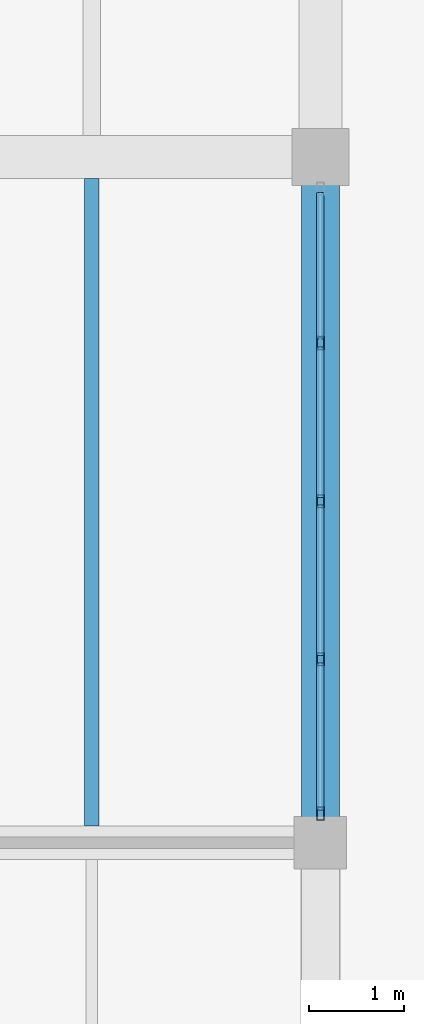
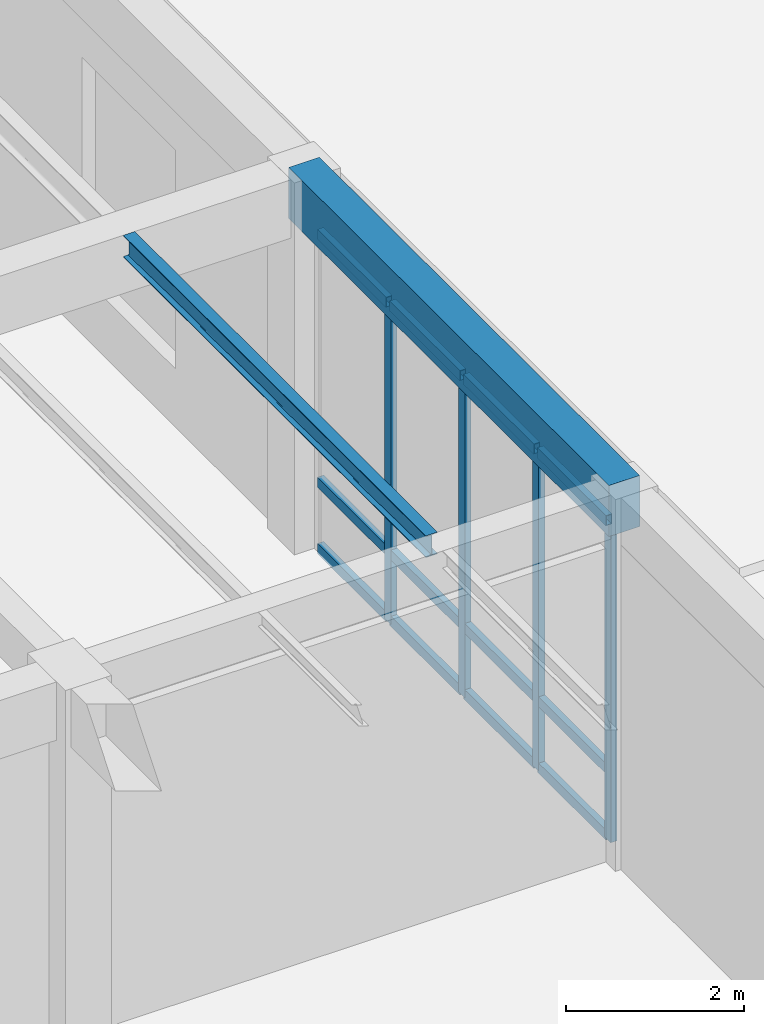
# One storey, part 39 of 169: 16 members, 2 beams, 1 element without a shape of its own.
"""IFC4 building model written with IfcOpenShell, lengths in metres."""

from ifc_helpers import new_model, si_unit, direction, frame, origin, origin_2d, place, context, subcontext, project, spatial, rectangle, hollow_rectangle, i_section, extrude, material, layer, layer_set, material_profile, profile_set, type_object, element, aggregate, save


model = new_model("IFC4")

# Units and contexts
model_context = context("Model", 3, precision=1e-05, world=origin(), true_north=direction((0.0, 1.0)))
body_context = subcontext(model_context, "Body", "Model", "MODEL_VIEW")
ifc_project = project(units=[si_unit("LENGTHUNIT", "METRE"), si_unit("AREAUNIT", "SQUARE_METRE"), si_unit("VOLUMEUNIT", "CUBIC_METRE"), si_unit("PLANEANGLEUNIT", "RADIAN"), si_unit("MASSUNIT", "GRAM", prefix="KILO")], contexts=[model_context])

# Site, building, storey
site_placement = place(None, origin())
site = spatial("IfcSite", under=ifc_project, at=site_placement, CompositionType="ELEMENT")
building_placement = place(site_placement, origin())
building = spatial("IfcBuilding", under=site, at=building_placement, Name="Mazaris Harbour Polytechnic", CompositionType="ELEMENT")
storey_placement = place(building_placement, origin())
storey = spatial("IfcBuildingStorey", under=building, at=storey_placement, Name="L00", CompositionType="ELEMENT", Elevation=0.0)

# Curtain wall, members
ifc_material_1 = material(Name="Anodised Bronze Aluminium and Low-E Glass", Category="aluminium")
ifc_layer = layer(ifc_material_1, 0.159912109375, Name="Anodised Bronze Aluminium and Low-E Glass")
ifc_layer_set = layer_set([ifc_layer], Name="Anodised Bronze Aluminium and Low-E Glass")
curtain_wall_type = type_object("IfcCurtainWallType", Name="Cloister Court Curtain Wall", PredefinedType="NOTDEFINED", material=ifc_layer_set)
curtain_wall_placement = place(storey_placement, origin())
curtain_wall = element("IfcCurtainWall", 1, at=curtain_wall_placement, inside=storey, type_object=curtain_wall_type, Name="V4 L00 Curtain Wall 97", PredefinedType="NOTDEFINED")
ifc_material_2 = material(Name="Anodised Bronze Steel S355", Category="steel")
ifc_material_profile_1 = material_profile(ifc_material_2, hollow_rectangle(XDim=0.080078125, YDim=0.139892578125, WallThickness=0.00634765625, at=origin_2d()), Name="RHS 80x140x6.3")
ifc_profile_set_1 = profile_set([ifc_material_profile_1], Name="Anodised Bronze Steel S355")
member_type_1 = type_object("IfcMemberType", Name="Curtain Mullion RHS80x140", PredefinedType="MULLION", material=ifc_profile_set_1)
member_1_placement = place(storey_placement, frame((43.199951171875, 59.247802734375, 0.0), z_axis=(0.0, 0.0, 1.0), x_axis=(1.0, 0.0, 0.0)))
member_1 = element("IfcMember", 2, at=member_1_placement, type_object=member_type_1, Name="CW-02 mullion 2", PredefinedType="MULLION", context=body_context, shape_type="SweptSolid", body=[
    extrude(hollow_rectangle(XDim=0.080078125, YDim=0.139892578125, WallThickness=0.00634765625, at=origin_2d()), origin(), (0.0, 0.0, 1.0), 4.389892578125),
])
member_2_placement = place(storey_placement, frame((43.199951171875, 57.58740234375, 0.0), z_axis=(0.0, 0.0, 1.0), x_axis=(1.0, 0.0, 0.0)))
member_2 = element("IfcMember", 3, at=member_2_placement, type_object=member_type_1, Name="CW-02 mullion 3", PredefinedType="MULLION", context=body_context, shape_type="SweptSolid", body=[
    extrude(hollow_rectangle(XDim=0.080078125, YDim=0.139892578125, WallThickness=0.00634765625, at=origin_2d()), origin(), (0.0, 0.0, 1.0), 4.389892578125),
])
member_3_placement = place(storey_placement, frame((43.199951171875, 55.92724609375, 0.0), z_axis=(0.0, 0.0, 1.0), x_axis=(1.0, 0.0, 0.0)))
member_3 = element("IfcMember", 4, at=member_3_placement, type_object=member_type_1, Name="CW-02 mullion 4", PredefinedType="MULLION", context=body_context, shape_type="SweptSolid", body=[
    extrude(hollow_rectangle(XDim=0.080078125, YDim=0.139892578125, WallThickness=0.00634765625, at=origin_2d()), origin(), (0.0, 0.0, 1.0), 4.389892578125),
])
member_4_placement = place(storey_placement, frame((43.199951171875, 54.306884765625, 0.0), z_axis=(0.0, 0.0, 1.0), x_axis=(1.0, 0.0, 0.0)))
member_4 = element("IfcMember", 5, at=member_4_placement, type_object=member_type_1, Name="CW-02 mullion 5", PredefinedType="MULLION", context=body_context, shape_type="SweptSolid", body=[
    extrude(hollow_rectangle(XDim=0.080078125, YDim=0.139892578125, WallThickness=0.00634765625, at=origin_2d()), origin(), (0.0, 0.0, 1.0), 4.389892578125),
])
ifc_material_3 = material(Name="Anodised Bronze Steel S355", Category="steel")
ifc_material_profile_2 = material_profile(ifc_material_3, hollow_rectangle(XDim=0.080078125, YDim=0.139892578125, WallThickness=0.00634765625, at=origin_2d()), Name="RHS 80x140x6.3")
ifc_profile_set_2 = profile_set([ifc_material_profile_2], Name="Anodised Bronze Steel S355")
member_type_2 = type_object("IfcMemberType", Name="Curtain Transom RHS80x140", PredefinedType="USERDEFINED", material=ifc_profile_set_2)
member_5_placement = place(storey_placement, frame((43.199951171875, 60.827880859375, 0.0400390625), z_axis=(0.0, -1.0, 0.0), x_axis=(1.0, 0.0, 0.0)))
member_5 = element("IfcMember", 6, at=member_5_placement, type_object=member_type_2, Name="CW-02 transom 1.1", ObjectType="TRANSOM", PredefinedType="USERDEFINED", context=body_context, shape_type="SweptSolid", body=[
    extrude(hollow_rectangle(XDim=0.080078125, YDim=0.139892578125, WallThickness=0.00634765625, at=origin_2d()), origin(), (0.0, 0.0, 1.0), 1.5400390625),
])
member_6_placement = place(storey_placement, frame((43.199951171875, 60.827880859375, 0.949951171875), z_axis=(0.0, -1.0, 0.0), x_axis=(1.0, 0.0, 0.0)))
member_6 = element("IfcMember", 7, at=member_6_placement, type_object=member_type_2, Name="CW-02 transom 1.2", ObjectType="TRANSOM", PredefinedType="USERDEFINED", context=body_context, shape_type="SweptSolid", body=[
    extrude(hollow_rectangle(XDim=0.080078125, YDim=0.139892578125, WallThickness=0.00634765625, at=origin_2d()), origin(), (0.0, 0.0, 1.0), 1.5400390625),
])
member_7_placement = place(storey_placement, frame((43.199951171875, 60.827880859375, 4.35009765625), z_axis=(0.0, -1.0, 0.0), x_axis=(1.0, 0.0, 0.0)))
member_7 = element("IfcMember", 8, at=member_7_placement, type_object=member_type_2, Name="CW-02 transom 1.3", ObjectType="TRANSOM", PredefinedType="USERDEFINED", context=body_context, shape_type="SweptSolid", body=[
    extrude(hollow_rectangle(XDim=0.080078125, YDim=0.139892578125, WallThickness=0.00634765625, at=origin_2d()), origin(), (0.0, 0.0, 1.0), 1.5400390625),
])
member_8_placement = place(storey_placement, frame((43.199951171875, 59.207763671875, 0.0400390625), z_axis=(0.0, -1.0, 0.0), x_axis=(1.0, 0.0, 0.0)))
member_8 = element("IfcMember", 9, at=member_8_placement, type_object=member_type_2, Name="CW-02 transom 2.1", ObjectType="TRANSOM", PredefinedType="USERDEFINED", context=body_context, shape_type="SweptSolid", body=[
    extrude(hollow_rectangle(XDim=0.080078125, YDim=0.139892578125, WallThickness=0.00634765625, at=origin_2d()), origin(), (0.0, 0.0, 1.0), 1.580322265625),
])
member_9_placement = place(storey_placement, frame((43.199951171875, 59.207763671875, 0.949951171875), z_axis=(0.0, -1.0, 0.0), x_axis=(1.0, 0.0, 0.0)))
member_9 = element("IfcMember", 10, at=member_9_placement, type_object=member_type_2, Name="CW-02 transom 2.2", ObjectType="TRANSOM", PredefinedType="USERDEFINED", context=body_context, shape_type="SweptSolid", body=[
    extrude(hollow_rectangle(XDim=0.080078125, YDim=0.139892578125, WallThickness=0.00634765625, at=origin_2d()), origin(), (0.0, 0.0, 1.0), 1.580322265625),
])
member_10_placement = place(storey_placement, frame((43.199951171875, 59.207763671875, 4.35009765625), z_axis=(0.0, -1.0, 0.0), x_axis=(1.0, 0.0, 0.0)))
member_10 = element("IfcMember", 11, at=member_10_placement, type_object=member_type_2, Name="CW-02 transom 2.3", ObjectType="TRANSOM", PredefinedType="USERDEFINED", context=body_context, shape_type="SweptSolid", body=[
    extrude(hollow_rectangle(XDim=0.080078125, YDim=0.139892578125, WallThickness=0.00634765625, at=origin_2d()), origin(), (0.0, 0.0, 1.0), 1.580322265625),
])
member_11_placement = place(storey_placement, frame((43.199951171875, 57.547607421875, 0.0400390625), z_axis=(0.0, -1.0, 0.0), x_axis=(1.0, 0.0, 0.0)))
member_11 = element("IfcMember", 12, at=member_11_placement, type_object=member_type_2, Name="CW-02 transom 3.1", ObjectType="TRANSOM", PredefinedType="USERDEFINED", context=body_context, shape_type="SweptSolid", body=[
    extrude(hollow_rectangle(XDim=0.080078125, YDim=0.139892578125, WallThickness=0.00634765625, at=origin_2d()), origin(), (0.0, 0.0, 1.0), 1.580322265625),
])
member_12_placement = place(storey_placement, frame((43.199951171875, 57.547607421875, 0.949951171875), z_axis=(0.0, -1.0, 0.0), x_axis=(1.0, 0.0, 0.0)))
member_12 = element("IfcMember", 13, at=member_12_placement, type_object=member_type_2, Name="CW-02 transom 3.2", ObjectType="TRANSOM", PredefinedType="USERDEFINED", context=body_context, shape_type="SweptSolid", body=[
    extrude(hollow_rectangle(XDim=0.080078125, YDim=0.139892578125, WallThickness=0.00634765625, at=origin_2d()), origin(), (0.0, 0.0, 1.0), 1.580322265625),
])
member_13_placement = place(storey_placement, frame((43.199951171875, 57.547607421875, 4.35009765625), z_axis=(0.0, -1.0, 0.0), x_axis=(1.0, 0.0, 0.0)))
member_13 = element("IfcMember", 14, at=member_13_placement, type_object=member_type_2, Name="CW-02 transom 3.3", ObjectType="TRANSOM", PredefinedType="USERDEFINED", context=body_context, shape_type="SweptSolid", body=[
    extrude(hollow_rectangle(XDim=0.080078125, YDim=0.139892578125, WallThickness=0.00634765625, at=origin_2d()), origin(), (0.0, 0.0, 1.0), 1.580322265625),
])
member_14_placement = place(storey_placement, frame((43.199951171875, 55.88720703125, 0.0400390625), z_axis=(0.0, -1.0, 0.0), x_axis=(1.0, 0.0, 0.0)))
member_14 = element("IfcMember", 15, at=member_14_placement, type_object=member_type_2, Name="CW-02 transom 4.1", ObjectType="TRANSOM", PredefinedType="USERDEFINED", context=body_context, shape_type="SweptSolid", body=[
    extrude(hollow_rectangle(XDim=0.080078125, YDim=0.139892578125, WallThickness=0.00634765625, at=origin_2d()), origin(), (0.0, 0.0, 1.0), 1.540283203125),
])
member_15_placement = place(storey_placement, frame((43.199951171875, 55.88720703125, 0.949951171875), z_axis=(0.0, -1.0, 0.0), x_axis=(1.0, 0.0, 0.0)))
member_15 = element("IfcMember", 16, at=member_15_placement, type_object=member_type_2, Name="CW-02 transom 4.2", ObjectType="TRANSOM", PredefinedType="USERDEFINED", context=body_context, shape_type="SweptSolid", body=[
    extrude(hollow_rectangle(XDim=0.080078125, YDim=0.139892578125, WallThickness=0.00634765625, at=origin_2d()), origin(), (0.0, 0.0, 1.0), 1.540283203125),
])
member_16_placement = place(storey_placement, frame((43.199951171875, 55.88720703125, 4.35009765625), z_axis=(0.0, -1.0, 0.0), x_axis=(1.0, 0.0, 0.0)))
member_16 = element("IfcMember", 17, at=member_16_placement, type_object=member_type_2, Name="CW-02 transom 4.3", ObjectType="TRANSOM", PredefinedType="USERDEFINED", context=body_context, shape_type="SweptSolid", body=[
    extrude(hollow_rectangle(XDim=0.080078125, YDim=0.139892578125, WallThickness=0.00634765625, at=origin_2d()), origin(), (0.0, 0.0, 1.0), 1.540283203125),
])
aggregate(curtain_wall, [member_1, member_2, member_3, member_4, member_5, member_6, member_7, member_8, member_9, member_10, member_11, member_12, member_13, member_14, member_15, member_16])

# Beams
ifc_material_4 = material(Name="Concrete C35/45", Category="concrete")
ifc_material_profile_3 = material_profile(ifc_material_4, rectangle(XDim=0.39990234375, YDim=0.699951171875, at=origin_2d()), Name="RECT400x700")
ifc_profile_set_3 = profile_set([ifc_material_profile_3], Name="Concrete C35/45")
beam_type_1 = type_object("IfcBeamType", Name="RC Girder 400x700 Exterior", PredefinedType="BEAM", material=ifc_profile_set_3)
beam_1_placement = place(storey_placement, frame((43.199951171875, 54.0, 4.75), z_axis=(0.0, 1.0, 0.0), x_axis=(-1.0, 0.0, 0.0)))
element("IfcBeam", 18, at=beam_1_placement, inside=storey, type_object=beam_type_1, Name="V4 L00 Tie Girder 1497", PredefinedType="BEAM", context=body_context, shape_type="SweptSolid", body=[
    extrude(rectangle(XDim=0.39990234375, YDim=0.699951171875, at=origin_2d()), origin(), (0.0, 0.0, 1.0), 7.199951171875),
])
ifc_material_5 = material(Name="Steel S355", Category="steel")
ifc_material_profile_4 = material_profile(ifc_material_5, i_section(OverallWidth=0.14990234375, OverallDepth=0.300048828125, WebThickness=0.007080078125, FlangeThickness=0.0107421875, FilletRadius=0.014892578125, at=origin_2d()), Name="IPE 300")
ifc_profile_set_4 = profile_set([ifc_material_profile_4], Name="Steel S355")
beam_type_2 = type_object("IfcBeamType", Name="Steel Joist IPE300", PredefinedType="JOIST", material=ifc_profile_set_4)
beam_2_placement = place(storey_placement, frame((40.800048828125, 54.175048828125, 4.949951171875), z_axis=(0.0, 1.0, 0.0), x_axis=(-1.0, 0.0, 0.0)))
element("IfcBeam", 19, at=beam_2_placement, inside=storey, type_object=beam_type_2, Name="V4 L00 Floor Joist 1613", PredefinedType="JOIST", context=body_context, shape_type="SweptSolid", body=[
    extrude(i_section(OverallWidth=0.14990234375, OverallDepth=0.300048828125, WebThickness=0.007080078125, FlangeThickness=0.0107421875, FilletRadius=0.014892578125, at=origin_2d()), origin(), (0.0, 0.0, 1.0), 6.800048828125),
])

save(model, "model.ifc")
